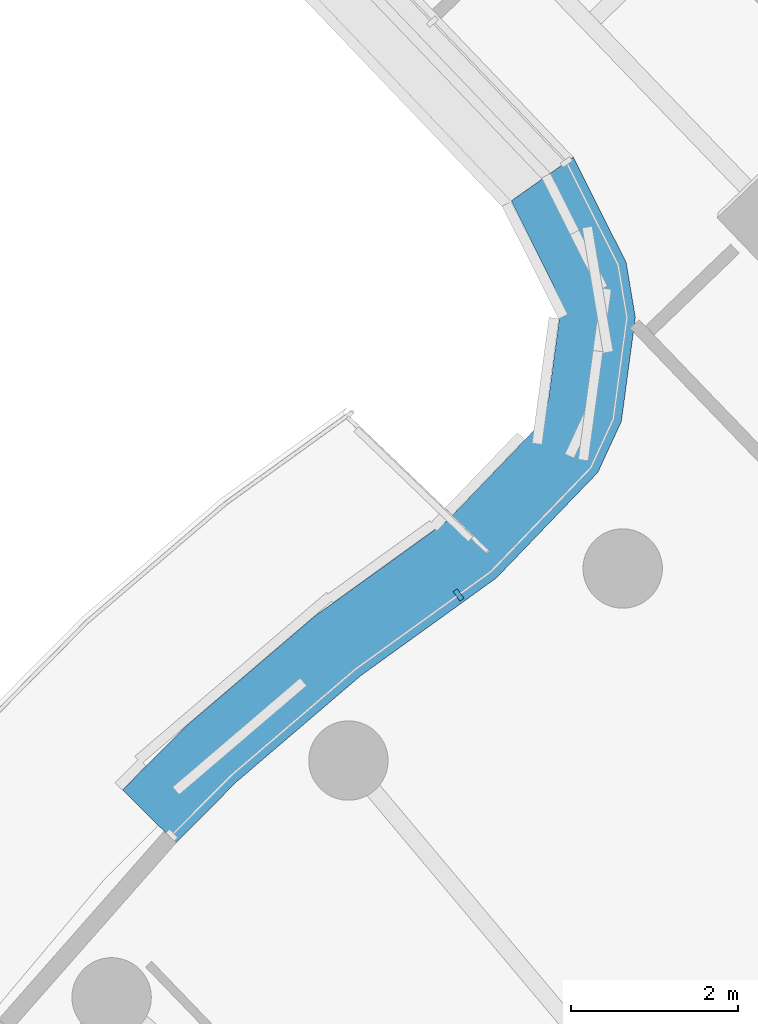
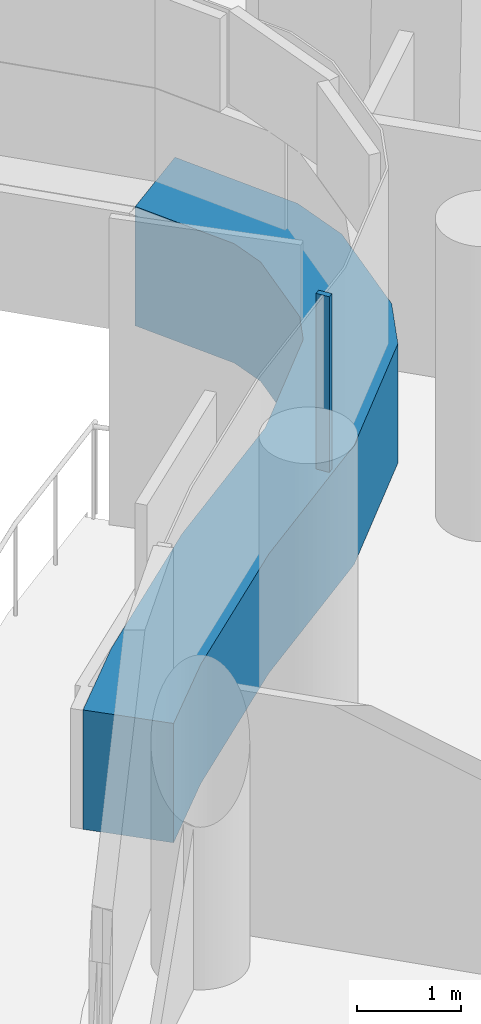
# One storey, part 11 of 34: 2 members, 1 element without a shape of its own.
"""IFC4 building model written with IfcOpenShell, lengths in metres."""

from ifc_helpers import new_model, si_unit, direction, frame, origin, origin_2d, place, context, subcontext, project, spatial, polyline, rectangle, outline, extrude, material, layer, layer_set, material_profile, profile_set, type_object, element, aggregate, save


model = new_model("IFC4")

# Units and contexts
model_context = context("Model", 3, precision=1e-05, world=origin(), true_north=direction((0.0, 1.0)))
body_context = subcontext(model_context, "Body", "Model", "MODEL_VIEW")
ifc_project = project(units=[si_unit("LENGTHUNIT", "METRE"), si_unit("AREAUNIT", "SQUARE_METRE"), si_unit("VOLUMEUNIT", "CUBIC_METRE"), si_unit("PLANEANGLEUNIT", "RADIAN"), si_unit("MASSUNIT", "GRAM", prefix="KILO")], contexts=[model_context])

# Site, building, storey
site_placement = place(None, origin())
site = spatial("IfcSite", under=ifc_project, at=site_placement, CompositionType="ELEMENT")
building_placement = place(site_placement, origin())
building = spatial("IfcBuilding", under=site, at=building_placement, Name="Tamarind Cross Interchange Tower", CompositionType="ELEMENT")
storey_placement = place(building_placement, frame((0.0, 0.0, 193.300048828125)))
storey = spatial("IfcBuildingStorey", under=building, at=storey_placement, Name="L48", CompositionType="ELEMENT", Elevation=193.300048828125)

# Curtain wall, members
ifc_material_1 = material(Name="Aluminium 6063-T6", Category="aluminium")
ifc_layer = layer(ifc_material_1, 0.139892578125)
ifc_layer_set = layer_set([ifc_layer], Name="Aluminium 6063-T6")
curtain_wall_type = type_object("IfcCurtainWallType", Name="Hotel curtain wall, 4.5 m bays", PredefinedType="NOTDEFINED", material=ifc_layer_set)
curtain_wall_placement = place(storey_placement, origin())
curtain_wall = element("IfcCurtainWall", 1, at=curtain_wall_placement, inside=storey, type_object=curtain_wall_type, Name="CWS-L48-10", PredefinedType="NOTDEFINED")
ifc_material_2 = material(Name="Aluminium and insulated spandrel panel", Category="aluminium")
member_type_1 = type_object("IfcMemberType", Name="Floor-edge blade transom", PredefinedType="USERDEFINED", material=ifc_material_2)
member_1_placement = place(storey_placement, origin())
member_1 = element("IfcMember", 2, at=member_1_placement, type_object=member_type_1, Name="CWT-L48-10-0", ObjectType="TRANSOM", PredefinedType="USERDEFINED", context=body_context, shape_type="SweptSolid", body=[
    extrude(outline(polyline([(-12.092529296875, 24.843994140625), (-11.458984375, 23.584228515625), (-11.3486328125, 22.925537109375), (-11.516357421875, 21.677978515625), (-11.799072265625, 21.0673828125), (-13.013427734375, 19.804443359375), (-14.634521484375, 18.636474609375), (-16.12353515625, 17.3642578125), (-16.84765625, 16.6337890625), (-17.48828125, 17.26611328125), (-16.736572265625, 18.0244140625), (-15.19091796875, 19.344970703125), (-13.605712890625, 20.487060546875), (-12.552490234375, 21.58251953125), (-12.39013671875, 21.932861328125), (-12.258544921875, 22.910888671875), (-12.32421875, 23.301513671875), (-12.836181640625, 24.31982421875), (-12.092529296875, 24.843994140625)])), origin(), (0.0, 0.0, 1.0), 1.39990234375),
])
ifc_material_profile = material_profile(ifc_material_1, rectangle(XDim=0.06005859375, YDim=0.139892578125, at=origin_2d()), Name="Mullion CW2")
ifc_profile_set = profile_set([ifc_material_profile], Name="Aluminium 6063-T6")
member_type_2 = type_object("IfcMemberType", Name="Mullion CW2", PredefinedType="MULLION", material=ifc_profile_set)
member_2_placement = place(storey_placement, frame((-13.46533203125, 19.60205078125, 1.39990234375), z_axis=(0.0, 0.0, 1.0), x_axis=(-0.811340475102, -0.584573890505, 0.0)))
member_2 = element("IfcMember", 3, at=member_2_placement, type_object=member_type_2, Name="CWM-L48-10-01", PredefinedType="MULLION", context=body_context, shape_type="SweptSolid", body=[
    extrude(rectangle(XDim=0.06005859375, YDim=0.139892578125, at=origin_2d()), origin(), (0.0, 0.0, 1.0), 2.06005859375),
])
aggregate(curtain_wall, [member_2, member_1])

save(model, "model.ifc")
